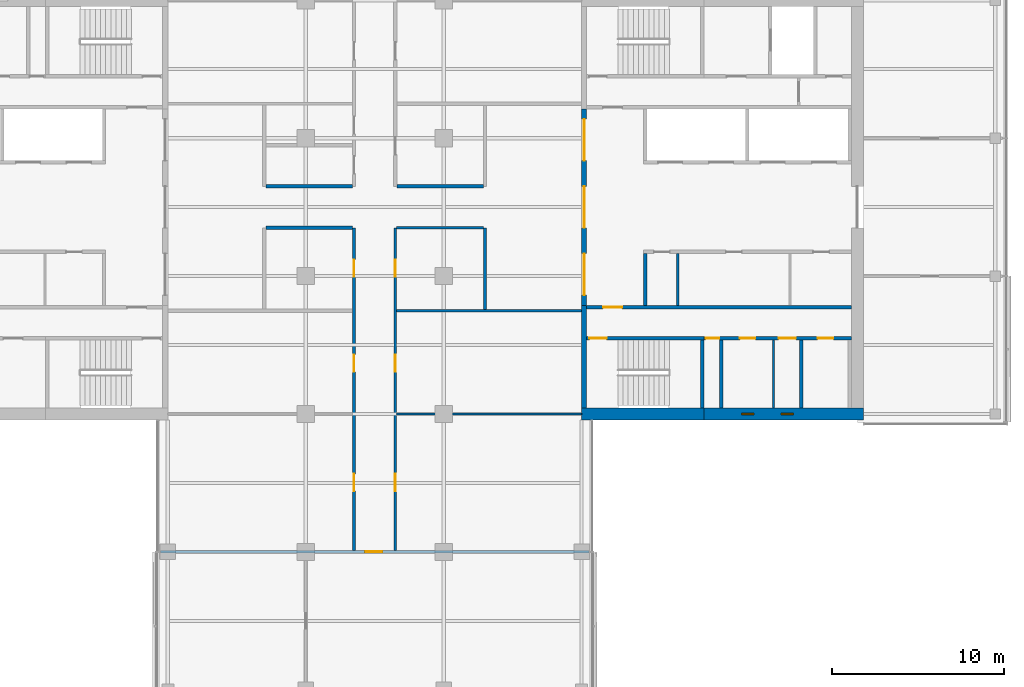
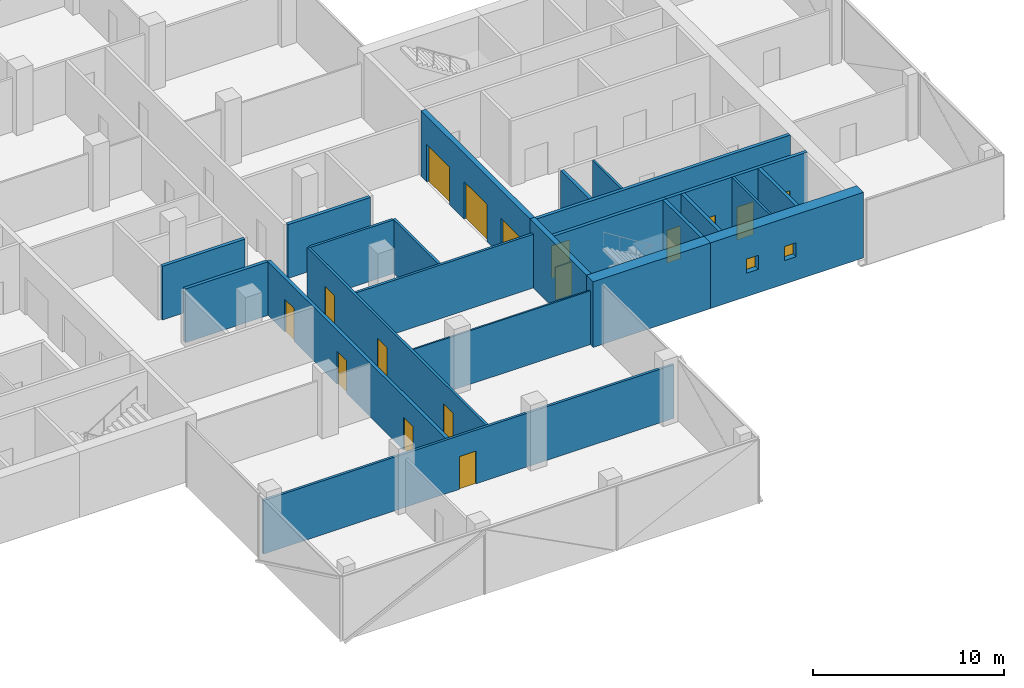
# One storey, part 14 of 22: 23 walls, 16 doors, 2 windows, 18 openings.
"""IFC4 building model written with IfcOpenShell, lengths in metres."""

from ifc_helpers import new_model, si_unit, direction, frame, frame_2d, origin, place, context, subcontext, project, spatial, rectangle, extrude, material, layer, layer_set, constituent, constituent_set, type_object, element, fill, save


model = new_model("IFC4")

# Units and contexts
model_context = context("Model", 3, precision=1e-05, world=origin(), true_north=direction((0.0, 1.0)))
body_context = subcontext(model_context, "Body", "Model", "MODEL_VIEW")
ifc_project = project(units=[si_unit("LENGTHUNIT", "METRE"), si_unit("AREAUNIT", "SQUARE_METRE"), si_unit("VOLUMEUNIT", "CUBIC_METRE"), si_unit("PLANEANGLEUNIT", "RADIAN"), si_unit("MASSUNIT", "GRAM", prefix="KILO")], contexts=[model_context])

# Site, building, storey
site_placement = place(None, origin())
site = spatial("IfcSite", under=ifc_project, at=site_placement, CompositionType="ELEMENT")
building_placement = place(site_placement, origin())
building = spatial("IfcBuilding", under=site, at=building_placement, Name="Crosswind Convention Tower", CompositionType="ELEMENT")
storey_placement = place(building_placement, frame((0.0, 0.0, 133.699951171875)))
storey = spatial("IfcBuildingStorey", under=building, at=storey_placement, Name="L27", CompositionType="ELEMENT", Elevation=133.699951171875)

# Wall
ifc_material_1 = material(Name="Concrete blockwork", Category="masonry")
ifc_layer_1 = layer(ifc_material_1, 0.199951171875)
ifc_layer_set_1 = layer_set([ifc_layer_1], Name="Blockwork partition wall 200")
wall_type_1 = type_object("IfcWallType", Name="Blockwork partition wall 200", PredefinedType="PARTITIONING", material=ifc_layer_set_1)
wall_1_placement = place(storey_placement, frame((145.10009765625, 88.35009765625, 0.0), z_axis=(0.0, 0.0, 1.0), x_axis=(0.0, 1.0, 0.0)))
element("IfcWall", 1, at=wall_1_placement, inside=storey, type_object=wall_type_1, Name="Wall MRSE E L27", PredefinedType="PARTITIONING", context=body_context, shape_type="SweptSolid", body=[
    extrude(rectangle(XDim=3.949951171875, YDim=0.199951171875, at=frame_2d((1.97509765625, 0.0))), origin(), (0.0, 0.0, 1.0), 4.199951171875),
])

# Wall, openings, doors
ifc_layer_2 = layer(ifc_material_1, 0.199951171875)
ifc_layer_set_2 = layer_set([ifc_layer_2], Name="COMPARTMENT WALL 200 BLOCKWORK")
wall_type_2 = type_object("IfcWallType", Name="COMPARTMENT WALL 200 BLOCKWORK", PredefinedType="SOLIDWALL", material=ifc_layer_set_2)
wall_2_placement = place(storey_placement, frame((123.800048828125, 80.074951171875, 0.0), z_axis=(0.0, 0.0, 1.0), x_axis=(0.0, 1.0, 0.0)))
wall_2 = element("IfcWall", 2, at=wall_2_placement, inside=storey, type_object=wall_type_2, Name="Compartment wall WT42", PredefinedType="SOLIDWALL", context=body_context, shape_type="SweptSolid", body=[
    extrude(rectangle(XDim=18.72509765625, YDim=0.199951171875, at=frame_2d((9.362548828125, 0.0))), origin(), (0.0, 0.0, 1.0), 3.4365234375),
])
opening_1_placement = place(wall_2_placement, frame((15.875, 0.0, 0.0)))
opening_1 = element("IfcOpeningElement", 3, at=opening_1_placement, cuts=wall_2, Name="Opening L27-60", PredefinedType="OPENING", context=body_context, shape_type="SweptSolid", body=[
    extrude(rectangle(XDim=1.0, YDim=2.10009765625, at=frame_2d((0.5, 1.050048828125))), frame((0.0, 0.10986328125, 0.0), z_axis=(0.0, -1.0, 0.0), x_axis=(1.0, 0.0, 0.0)), (0.0, 0.0, 1.0), 0.219970703125),
])
opening_2_placement = place(wall_2_placement, frame((10.375, 0.0, 0.0)))
opening_2 = element("IfcOpeningElement", 4, at=opening_2_placement, cuts=wall_2, Name="Opening L27-61", PredefinedType="OPENING", context=body_context, shape_type="SweptSolid", body=[
    extrude(rectangle(XDim=1.0, YDim=2.10009765625, at=frame_2d((0.5, 1.050048828125))), frame((0.0, 0.10986328125, 0.0), z_axis=(0.0, -1.0, 0.0), x_axis=(1.0, 0.0, 0.0)), (0.0, 0.0, 1.0), 0.219970703125),
])
opening_3_placement = place(wall_2_placement, frame((3.449951171875, 0.0, 0.0)))
opening_3 = element("IfcOpeningElement", 5, at=opening_3_placement, cuts=wall_2, Name="Opening L27-62", PredefinedType="OPENING", context=body_context, shape_type="SweptSolid", body=[
    extrude(rectangle(XDim=1.0, YDim=2.10009765625, at=frame_2d((0.5, 1.050048828125))), frame((0.0, 0.10986328125, 0.0), z_axis=(0.0, -1.0, 0.0), x_axis=(1.0, 0.0, 0.0)), (0.0, 0.0, 1.0), 0.219970703125),
])
ifc_material_2 = material(Name="Steel fire door", Category="steel")
door_type_1 = type_object("IfcDoorType", Name="PLANT ROOM DOOR 1000X2100 FD60", OperationType="NOTDEFINED", PredefinedType="DOOR", material=ifc_material_2)
door_1_placement = place(opening_1_placement, origin())
door_1 = element("IfcDoor", 6, at=door_1_placement, inside=storey, type_object=door_type_1, Name="Door L27-60", ObjectType="D43", OperationType="SINGLE_SWING_RIGHT", OverallHeight=2.10009765625, OverallWidth=1.0, PredefinedType="DOOR", context=body_context, shape_type="SweptSolid", body=[
    extrude(rectangle(XDim=1.0, YDim=2.10009765625, at=frame_2d((0.5, 1.050048828125))), frame((0.0, 0.02490234375, 0.0), z_axis=(0.0, -1.0, 0.0), x_axis=(1.0, 0.0, 0.0)), (0.0, 0.0, 1.0), 0.050048828125),
])
fill(opening_1, door_1)
ifc_material_3 = material(Name="Timber fire door", Category="wood")
door_type_2 = type_object("IfcDoorType", Name="TENANCY ENTRANCE DOOR 1000X2100 FD30S", OperationType="NOTDEFINED", PredefinedType="DOOR", material=ifc_material_3)
door_2_placement = place(opening_2_placement, frame((1.0, 0.0, 0.0), z_axis=(0.0, 0.0, 1.0), x_axis=(-1.0, 0.0, 0.0)))
door_2 = element("IfcDoor", 7, at=door_2_placement, inside=storey, type_object=door_type_2, Name="Door L27-61", ObjectType="D41", OperationType="SINGLE_SWING_LEFT", OverallHeight=2.10009765625, OverallWidth=1.0, PredefinedType="DOOR", context=body_context, shape_type="SweptSolid", body=[
    extrude(rectangle(XDim=1.0, YDim=2.10009765625, at=frame_2d((0.5, 1.050048828125))), frame((0.0, 0.02490234375, 0.0), z_axis=(0.0, -1.0, 0.0), x_axis=(1.0, 0.0, 0.0)), (0.0, 0.0, 1.0), 0.050048828125),
])
fill(opening_2, door_2)
door_3_placement = place(opening_3_placement, origin())
door_3 = element("IfcDoor", 8, at=door_3_placement, inside=storey, type_object=door_type_2, Name="Door L27-62", ObjectType="D41", OperationType="SINGLE_SWING_RIGHT", OverallHeight=2.10009765625, OverallWidth=1.0, PredefinedType="DOOR", context=body_context, shape_type="SweptSolid", body=[
    extrude(rectangle(XDim=1.0, YDim=2.10009765625, at=frame_2d((0.5, 1.050048828125))), frame((0.0, 0.02490234375, 0.0), z_axis=(0.0, -1.0, 0.0), x_axis=(1.0, 0.0, 0.0)), (0.0, 0.0, 1.0), 0.050048828125),
])
fill(opening_3, door_3)

# Walls
for number, where, z_axis, x_axis, name in (
    (9, (118.699951171875, 98.800048828125, 0.0), (0.0, 0.0, 1.0), (1.0, 0.0, 0.0), "Compartment wall WT42"),
    (10, (118.699951171875, 101.199951171875, 0.0), (0.0, 0.0, 1.0), (1.0, 0.0, 0.0), "Compartment wall WT42"),
    (11, (126.300048828125, 101.199951171875, 0.0), (0.0, 0.0, 1.0), (1.0, 0.0, 0.0), "Compartment wall WT42"),
):
    element("IfcWall", number, at=place(storey_placement, frame(where, z_axis=z_axis, x_axis=x_axis)), inside=storey, type_object=wall_type_2, Name=name, PredefinedType="SOLIDWALL", context=body_context, shape_type="SweptSolid", body=[
        extrude(rectangle(XDim=5.0, YDim=0.199951171875, at=frame_2d((2.5, 0.0))), origin(), (0.0, 0.0, 1.0), 3.4365234375),
    ])

# Wall, openings, doors
ifc_material_4 = material(Name="Concrete C50/60", Category="concrete")
ifc_layer_3 = layer(ifc_material_4, 0.300048828125)
ifc_layer_set_3 = layer_set([ifc_layer_3], Name="Concrete C50/60")
wall_type_3 = type_object("IfcWallType", Name="Concrete inner core wall 300", PredefinedType="SHEAR", material=ifc_layer_set_3)
wall_3_placement = place(storey_placement, frame((137.14990234375, 94.300048828125, 0.0), z_axis=(0.0, 0.0, 1.0), x_axis=(0.0, 1.0, 0.0)))
wall_3 = element("IfcWall", 12, at=wall_3_placement, inside=storey, type_object=wall_type_3, Name="Wall SCR E L27", PredefinedType="SHEAR", context=body_context, shape_type="SweptSolid", body=[
    extrude(rectangle(XDim=11.39990234375, YDim=0.300048828125, at=frame_2d((5.699951171875, 0.0))), origin(), (0.0, 0.0, 1.0), 4.199951171875),
])
opening_4_placement = place(wall_3_placement, frame((0.60009765625, 0.0, 0.0)))
opening_4 = element("IfcOpeningElement", 13, at=opening_4_placement, cuts=wall_3, Name="Opening D100", PredefinedType="OPENING", context=body_context, shape_type="SweptSolid", body=[
    extrude(rectangle(XDim=2.39990234375, YDim=2.39990234375, at=frame_2d((1.199951171875, 1.199951171875))), frame((0.0, 0.159912109375, 0.0), z_axis=(0.0, -1.0, 0.0), x_axis=(1.0, 0.0, 0.0)), (0.0, 0.0, 1.0), 0.320068359375),
])
opening_5_placement = place(wall_3_placement, frame((4.5, 0.0, 0.0)))
opening_5 = element("IfcOpeningElement", 14, at=opening_5_placement, cuts=wall_3, Name="Opening D100", PredefinedType="OPENING", context=body_context, shape_type="SweptSolid", body=[
    extrude(rectangle(XDim=2.39990234375, YDim=2.39990234375, at=frame_2d((1.199951171875, 1.199951171875))), frame((0.0, 0.159912109375, 0.0), z_axis=(0.0, -1.0, 0.0), x_axis=(1.0, 0.0, 0.0)), (0.0, 0.0, 1.0), 0.320068359375),
])
opening_6_placement = place(wall_3_placement, frame((8.39990234375, 0.0, 0.0)))
opening_6 = element("IfcOpeningElement", 15, at=opening_6_placement, cuts=wall_3, Name="Opening D100", PredefinedType="OPENING", context=body_context, shape_type="SweptSolid", body=[
    extrude(rectangle(XDim=2.39990234375, YDim=2.39990234375, at=frame_2d((1.199951171875, 1.199951171875))), frame((0.0, 0.159912109375, 0.0), z_axis=(0.0, -1.0, 0.0), x_axis=(1.0, 0.0, 0.0)), (0.0, 0.0, 1.0), 0.320068359375),
])
ifc_material_5 = material(Name="Steel fire door with glazed vision panels", Category="steel")
door_type_3 = type_object("IfcDoorType", Name="Fire-rated double door 2400x2400", OperationType="DOUBLE_DOOR_SINGLE_SWING", PredefinedType="DOOR", material=ifc_material_5)
door_4_placement = place(opening_4_placement, origin())
door_4 = element("IfcDoor", 16, at=door_4_placement, inside=storey, type_object=door_type_3, Name="Lobby door 1 L27", ObjectType="D100", OperationType="DOUBLE_DOOR_SINGLE_SWING", OverallHeight=2.39990234375, OverallWidth=2.39990234375, PredefinedType="DOOR", context=body_context, shape_type="SweptSolid", body=[
    extrude(rectangle(XDim=2.39990234375, YDim=2.39990234375, at=frame_2d((1.199951171875, 1.199951171875))), frame((0.0, 0.02490234375, 0.0), z_axis=(0.0, -1.0, 0.0), x_axis=(1.0, 0.0, 0.0)), (0.0, 0.0, 1.0), 0.050048828125),
])
fill(opening_4, door_4)
door_5_placement = place(opening_5_placement, origin())
door_5 = element("IfcDoor", 17, at=door_5_placement, inside=storey, type_object=door_type_3, Name="Lobby door 2 L27", ObjectType="D100", OperationType="DOUBLE_DOOR_SINGLE_SWING", OverallHeight=2.39990234375, OverallWidth=2.39990234375, PredefinedType="DOOR", context=body_context, shape_type="SweptSolid", body=[
    extrude(rectangle(XDim=2.39990234375, YDim=2.39990234375, at=frame_2d((1.199951171875, 1.199951171875))), frame((0.0, 0.02490234375, 0.0), z_axis=(0.0, -1.0, 0.0), x_axis=(1.0, 0.0, 0.0)), (0.0, 0.0, 1.0), 0.050048828125),
])
fill(opening_5, door_5)
door_6_placement = place(opening_6_placement, origin())
door_6 = element("IfcDoor", 18, at=door_6_placement, inside=storey, type_object=door_type_3, Name="Lobby door 3 L27", ObjectType="D100", OperationType="DOUBLE_DOOR_SINGLE_SWING", OverallHeight=2.39990234375, OverallWidth=2.39990234375, PredefinedType="DOOR", context=body_context, shape_type="SweptSolid", body=[
    extrude(rectangle(XDim=2.39990234375, YDim=2.39990234375, at=frame_2d((1.199951171875, 1.199951171875))), frame((0.0, 0.02490234375, 0.0), z_axis=(0.0, -1.0, 0.0), x_axis=(1.0, 0.0, 0.0)), (0.0, 0.0, 1.0), 0.050048828125),
])
fill(opening_6, door_6)

# Walls
wall_4_placement = place(storey_placement, frame((137.14990234375, 88.35009765625, 0.0), z_axis=(0.0, 0.0, 1.0), x_axis=(0.0, 1.0, 0.0)))
element("IfcWall", 19, at=wall_4_placement, inside=storey, type_object=wall_type_3, Name="Wall EM E L27", PredefinedType="SHEAR", context=body_context, shape_type="SweptSolid", body=[
    extrude(rectangle(XDim=5.949951171875, YDim=0.300048828125, at=frame_2d((2.97509765625, 0.0))), origin(), (0.0, 0.0, 1.0), 4.199951171875),
])
ifc_layer_4 = layer(ifc_material_4, 0.199951171875)
ifc_layer_set_4 = layer_set([ifc_layer_4], Name="Concrete C50/60")
wall_type_4 = type_object("IfcWallType", Name="Concrete shaft and stair wall 200", PredefinedType="SHEAR", material=ifc_layer_set_4)
wall_5_placement = place(storey_placement, frame((140.699951171875, 94.300048828125, 0.0), z_axis=(0.0, 0.0, 1.0), x_axis=(0.0, 1.0, 0.0)))
element("IfcWall", 20, at=wall_5_placement, inside=storey, type_object=wall_type_4, Name="Wall RMEND E L27", PredefinedType="SHEAR", context=body_context, shape_type="SweptSolid", body=[
    extrude(rectangle(XDim=3.0, YDim=0.199951171875, at=frame_2d((1.5, 0.0))), origin(), (0.0, 0.0, 1.0), 4.199951171875),
])

# Wall, opening, door
wall_6_placement = place(storey_placement, frame((137.300048828125, 94.199951171875, 0.0), z_axis=(0.0, 0.0, 1.0), x_axis=(1.0, 0.0, 0.0)))
wall_6 = element("IfcWall", 21, at=wall_6_placement, inside=storey, type_object=wall_type_4, Name="Wall HM E L27", PredefinedType="SHEAR", context=body_context, shape_type="SweptSolid", body=[
    extrude(rectangle(XDim=15.349853515625, YDim=0.199951171875, at=frame_2d((7.6748046875, 0.0))), origin(), (0.0, 0.0, 1.0), 4.199951171875),
])
opening_7_placement = place(wall_6_placement, frame((0.949951171875, 0.0, 0.0)))
opening_7 = element("IfcOpeningElement", 22, at=opening_7_placement, cuts=wall_6, Name="Opening D104", PredefinedType="OPENING", context=body_context, shape_type="SweptSolid", body=[
    extrude(rectangle(XDim=1.10009765625, YDim=2.10009765625, at=frame_2d((0.550048828125, 1.050048828125))), frame((0.0, 0.10986328125, 0.0), z_axis=(0.0, -1.0, 0.0), x_axis=(1.0, 0.0, 0.0)), (0.0, 0.0, 1.0), 0.219970703125),
])
door_type_4 = type_object("IfcDoorType", Name="Fire-rated single door 1100x2100", OperationType="NOTDEFINED", PredefinedType="DOOR", material=ifc_material_2)
door_7_placement = place(opening_7_placement, origin())
door_7 = element("IfcDoor", 23, at=door_7_placement, inside=storey, type_object=door_type_4, Name="Corridor door L27", ObjectType="D104", OperationType="SINGLE_SWING_LEFT", OverallHeight=2.10009765625, OverallWidth=1.10009765625, PredefinedType="DOOR", context=body_context, shape_type="SweptSolid", body=[
    extrude(rectangle(XDim=1.10009765625, YDim=2.10009765625, at=frame_2d((0.550048828125, 1.050048828125))), frame((0.0, 0.02490234375, 0.0), z_axis=(0.0, -1.0, 0.0), x_axis=(1.0, 0.0, 0.0)), (0.0, 0.0, 1.0), 0.050048828125),
])
fill(opening_7, door_7)

# Walls
for number, where, z_axis, x_axis, name in (
    (24, (144.0, 88.35009765625, 0.0), (0.0, 0.0, 1.0), (0.0, 1.0, 0.0), "Wall MSE E L27"),
    (25, (149.75, 88.35009765625, 0.0), (0.0, 0.0, 1.0), (0.0, 1.0, 0.0), "Wall MFSW E L27"),
):
    element("IfcWall", number, at=place(storey_placement, frame(where, z_axis=z_axis, x_axis=x_axis)), inside=storey, type_object=wall_type_4, Name=name, PredefinedType="SHEAR", context=body_context, shape_type="SweptSolid", body=[
        extrude(rectangle(XDim=3.949951171875, YDim=0.199951171875, at=frame_2d((1.97509765625, 0.0))), origin(), (0.0, 0.0, 1.0), 4.199951171875),
    ])

# Wall, opening, door
wall_7_placement = place(storey_placement, frame((137.300048828125, 92.39990234375, 0.0), z_axis=(0.0, 0.0, 1.0), x_axis=(1.0, 0.0, 0.0)))
wall_7 = element("IfcWall", 26, at=wall_7_placement, inside=storey, type_object=wall_type_4, Name="Wall MCW E L27", PredefinedType="SHEAR", context=body_context, shape_type="SweptSolid", body=[
    extrude(rectangle(XDim=6.800048828125, YDim=0.199951171875, at=frame_2d((3.39990234375, 0.0))), origin(), (0.0, 0.0, 1.0), 4.199951171875),
])
opening_8_placement = place(wall_7_placement, frame((0.14990234375, 0.0, 0.0)))
opening_8 = element("IfcOpeningElement", 27, at=opening_8_placement, cuts=wall_7, Name="Opening D103", PredefinedType="OPENING", context=body_context, shape_type="SweptSolid", body=[
    extrude(rectangle(XDim=1.0, YDim=2.10009765625, at=frame_2d((0.5, 1.050048828125))), frame((0.0, 0.10986328125, 0.0), z_axis=(0.0, -1.0, 0.0), x_axis=(1.0, 0.0, 0.0)), (0.0, 0.0, 1.0), 0.219970703125),
])
door_type_5 = type_object("IfcDoorType", Name="Fire-rated single door 1000x2100", OperationType="NOTDEFINED", PredefinedType="DOOR", material=ifc_material_2)
door_8_placement = place(opening_8_placement, frame((1.0, 0.0, 0.0), z_axis=(0.0, 0.0, 1.0), x_axis=(-1.0, 0.0, 0.0)))
door_8 = element("IfcDoor", 28, at=door_8_placement, inside=storey, type_object=door_type_5, Name="Stair ST2 door L27", ObjectType="D103", OperationType="SINGLE_SWING_RIGHT", OverallHeight=2.10009765625, OverallWidth=1.0, PredefinedType="DOOR", context=body_context, shape_type="SweptSolid", body=[
    extrude(rectangle(XDim=1.0, YDim=2.10009765625, at=frame_2d((0.5, 1.050048828125))), frame((0.0, 0.02490234375, 0.0), z_axis=(0.0, -1.0, 0.0), x_axis=(1.0, 0.0, 0.0)), (0.0, 0.0, 1.0), 0.050048828125),
])
fill(opening_8, door_8)

# Wall, openings, doors
wall_8_placement = place(storey_placement, frame((144.10009765625, 92.39990234375, 0.0), z_axis=(0.0, 0.0, 1.0), x_axis=(1.0, 0.0, 0.0)))
wall_8 = element("IfcWall", 29, at=wall_8_placement, inside=storey, type_object=wall_type_4, Name="Wall MCX E L27", PredefinedType="SHEAR", context=body_context, shape_type="SweptSolid", body=[
    extrude(rectangle(XDim=8.5498046875, YDim=0.199951171875, at=frame_2d((4.27490234375, 0.0))), origin(), (0.0, 0.0, 1.0), 4.199951171875),
])
opening_9_placement = place(wall_8_placement, frame((0.10009765625, 0.0, 0.0)))
opening_9 = element("IfcOpeningElement", 30, at=opening_9_placement, cuts=wall_8, Name="Opening D105", PredefinedType="OPENING", context=body_context, shape_type="SweptSolid", body=[
    extrude(rectangle(XDim=0.800048828125, YDim=2.10009765625, at=frame_2d((0.39990234375, 1.050048828125))), frame((0.0, 0.10986328125, 0.0), z_axis=(0.0, -1.0, 0.0), x_axis=(1.0, 0.0, 0.0)), (0.0, 0.0, 1.0), 0.219970703125),
])
opening_10_placement = place(wall_8_placement, frame((2.087158203125, 0.0, 0.0)))
opening_10 = element("IfcOpeningElement", 31, at=opening_10_placement, cuts=wall_8, Name="Opening D106", PredefinedType="OPENING", context=body_context, shape_type="SweptSolid", body=[
    extrude(rectangle(XDim=0.89990234375, YDim=2.10009765625, at=frame_2d((0.449951171875, 1.050048828125))), frame((0.0, 0.10986328125, 0.0), z_axis=(0.0, -1.0, 0.0), x_axis=(1.0, 0.0, 0.0)), (0.0, 0.0, 1.0), 0.219970703125),
])
opening_11_placement = place(wall_8_placement, frame((4.32470703125, 0.0, 0.0)))
opening_11 = element("IfcOpeningElement", 32, at=opening_11_placement, cuts=wall_8, Name="Opening D103", PredefinedType="OPENING", context=body_context, shape_type="SweptSolid", body=[
    extrude(rectangle(XDim=1.0, YDim=2.10009765625, at=frame_2d((0.5, 1.050048828125))), frame((0.0, 0.10986328125, 0.0), z_axis=(0.0, -1.0, 0.0), x_axis=(1.0, 0.0, 0.0)), (0.0, 0.0, 1.0), 0.219970703125),
])
opening_12_placement = place(wall_8_placement, frame((6.60009765625, 0.0, 0.0)))
opening_12 = element("IfcOpeningElement", 33, at=opening_12_placement, cuts=wall_8, Name="Opening D106", PredefinedType="OPENING", context=body_context, shape_type="SweptSolid", body=[
    extrude(rectangle(XDim=0.89990234375, YDim=2.10009765625, at=frame_2d((0.449951171875, 1.050048828125))), frame((0.0, 0.10986328125, 0.0), z_axis=(0.0, -1.0, 0.0), x_axis=(1.0, 0.0, 0.0)), (0.0, 0.0, 1.0), 0.219970703125),
])
door_9_placement = place(opening_11_placement, frame((1.0, 0.0, 0.0), z_axis=(0.0, 0.0, 1.0), x_axis=(-1.0, 0.0, 0.0)))
door_9 = element("IfcDoor", 34, at=door_9_placement, inside=storey, type_object=door_type_5, Name="Door to accessible wc L27", ObjectType="D103", OperationType="SINGLE_SWING_LEFT", OverallHeight=2.10009765625, OverallWidth=1.0, PredefinedType="DOOR", context=body_context, shape_type="SweptSolid", body=[
    extrude(rectangle(XDim=1.0, YDim=2.10009765625, at=frame_2d((0.5, 1.050048828125))), frame((0.0, 0.02490234375, 0.0), z_axis=(0.0, -1.0, 0.0), x_axis=(1.0, 0.0, 0.0)), (0.0, 0.0, 1.0), 0.050048828125),
])
fill(opening_11, door_9)
door_type_6 = type_object("IfcDoorType", Name="Riser access door 800x2100", OperationType="NOTDEFINED", PredefinedType="DOOR", material=ifc_material_2)
door_10_placement = place(opening_9_placement, frame((0.800048828125, 0.0, 0.0), z_axis=(0.0, 0.0, 1.0), x_axis=(-1.0, 0.0, 0.0)))
door_10 = element("IfcDoor", 35, at=door_10_placement, inside=storey, type_object=door_type_6, Name="Riser door L27", ObjectType="D105", OperationType="SINGLE_SWING_LEFT", OverallHeight=2.10009765625, OverallWidth=0.800048828125, PredefinedType="DOOR", context=body_context, shape_type="SweptSolid", body=[
    extrude(rectangle(XDim=0.800048828125, YDim=2.10009765625, at=frame_2d((0.39990234375, 1.050048828125))), frame((0.0, 0.02490234375, 0.0), z_axis=(0.0, -1.0, 0.0), x_axis=(1.0, 0.0, 0.0)), (0.0, 0.0, 1.0), 0.050048828125),
])
fill(opening_9, door_10)
ifc_material_6 = material(Name="Timber door", Category="wood")
door_type_7 = type_object("IfcDoorType", Name="Single leaf door 900x2100", OperationType="NOTDEFINED", PredefinedType="DOOR", material=ifc_material_6)
door_11_placement = place(opening_10_placement, frame((0.89990234375, 0.0, 0.0), z_axis=(0.0, 0.0, 1.0), x_axis=(-1.0, 0.0, 0.0)))
door_11 = element("IfcDoor", 36, at=door_11_placement, inside=storey, type_object=door_type_7, Name="Door to wc L27", ObjectType="D106", OperationType="SINGLE_SWING_LEFT", OverallHeight=2.10009765625, OverallWidth=0.89990234375, PredefinedType="DOOR", context=body_context, shape_type="SweptSolid", body=[
    extrude(rectangle(XDim=0.89990234375, YDim=2.10009765625, at=frame_2d((0.449951171875, 1.050048828125))), frame((0.0, 0.02490234375, 0.0), z_axis=(0.0, -1.0, 0.0), x_axis=(1.0, 0.0, 0.0)), (0.0, 0.0, 1.0), 0.050048828125),
])
fill(opening_10, door_11)
door_12_placement = place(opening_12_placement, frame((0.89990234375, 0.0, 0.0), z_axis=(0.0, 0.0, 1.0), x_axis=(-1.0, 0.0, 0.0)))
door_12 = element("IfcDoor", 37, at=door_12_placement, inside=storey, type_object=door_type_7, Name="Door to accessible wc L27", ObjectType="D106", OperationType="SINGLE_SWING_LEFT", OverallHeight=2.10009765625, OverallWidth=0.89990234375, PredefinedType="DOOR", context=body_context, shape_type="SweptSolid", body=[
    extrude(rectangle(XDim=0.89990234375, YDim=2.10009765625, at=frame_2d((0.449951171875, 1.050048828125))), frame((0.0, 0.02490234375, 0.0), z_axis=(0.0, -1.0, 0.0), x_axis=(1.0, 0.0, 0.0)), (0.0, 0.0, 1.0), 0.050048828125),
])
fill(opening_12, door_12)

# Walls
ifc_material_7 = material(Name="Gypsum plasterboard partition", Category="gypsum")
ifc_layer_5 = layer(ifc_material_7, 0.125)
ifc_layer_set_5 = layer_set([ifc_layer_5], Name="Drywall partition wall 125")
wall_type_5 = type_object("IfcWallType", Name="Drywall partition wall 125", PredefinedType="PARTITIONING", material=ifc_layer_set_5)
wall_9_placement = place(storey_placement, frame((142.577392578125, 94.300048828125, 0.0), z_axis=(0.0, 0.0, 1.0), x_axis=(0.0, 1.0, 0.0)))
element("IfcWall", 38, at=wall_9_placement, inside=storey, type_object=wall_type_5, Name="Wall RMP1 E L27", PredefinedType="PARTITIONING", context=body_context, shape_type="SweptSolid", body=[
    extrude(rectangle(XDim=3.0, YDim=0.125, at=frame_2d((1.5, 0.0))), origin(), (0.0, 0.0, 1.0), 4.199951171875),
])
wall_10_placement = place(storey_placement, frame((148.136962890625, 88.35009765625, 0.0), z_axis=(0.0, 0.0, 1.0), x_axis=(0.0, 1.0, 0.0)))
element("IfcWall", 39, at=wall_10_placement, inside=storey, type_object=wall_type_5, Name="Wall MWP1 E L27", PredefinedType="PARTITIONING", context=body_context, shape_type="SweptSolid", body=[
    extrude(rectangle(XDim=3.949951171875, YDim=0.125, at=frame_2d((1.97509765625, 0.0))), origin(), (0.0, 0.0, 1.0), 4.199951171875),
])
ifc_material_8 = material(Name="Plasterboard partition", Category="gypsum")
ifc_layer_6 = layer(ifc_material_8, 0.10009765625)
ifc_layer_set_6 = layer_set([ifc_layer_6], Name="PARTITION 100 METAL STUD")
wall_type_6 = type_object("IfcWallType", Name="PARTITION 100 METAL STUD", PredefinedType="PARTITIONING", material=ifc_layer_set_6)
wall_11_placement = place(storey_placement, frame((126.27490234375, 88.0, 0.0), z_axis=(0.0, 0.0, 1.0), x_axis=(1.0, 0.0, 0.0)))
element("IfcWall", 40, at=wall_11_placement, inside=storey, type_object=wall_type_6, Name="Partition wall WT40", PredefinedType="PARTITIONING", context=body_context, shape_type="SweptSolid", body=[
    extrude(rectangle(XDim=10.72509765625, YDim=0.10009765625, at=frame_2d((5.362548828125, 0.0))), origin(), (0.0, 0.0, 1.0), 3.4365234375),
])

# Wall, openings, doors
ifc_material_9 = material(Name="Fire-board partition with mineral wool", Category="gypsum")
ifc_layer_7 = layer(ifc_material_9, 0.14990234375)
ifc_layer_set_7 = layer_set([ifc_layer_7], Name="TENANCY WALL 150 TWO-HOUR BOARD")
wall_type_7 = type_object("IfcWallType", Name="TENANCY WALL 150 TWO-HOUR BOARD", PredefinedType="PARTITIONING", material=ifc_layer_set_7)
wall_12_placement = place(storey_placement, frame((126.199951171875, 80.074951171875, 0.0), z_axis=(0.0, 0.0, 1.0), x_axis=(0.0, 1.0, 0.0)))
wall_12 = element("IfcWall", 41, at=wall_12_placement, inside=storey, type_object=wall_type_7, Name="Tenancy wall WT41", PredefinedType="PARTITIONING", context=body_context, shape_type="SweptSolid", body=[
    extrude(rectangle(XDim=18.72509765625, YDim=0.14990234375, at=frame_2d((9.362548828125, 0.0))), origin(), (0.0, 0.0, 1.0), 3.4365234375),
])
opening_13_placement = place(wall_12_placement, frame((15.875, 0.0, 0.0)))
opening_13 = element("IfcOpeningElement", 42, at=opening_13_placement, cuts=wall_12, Name="Opening L27-53", PredefinedType="OPENING", context=body_context, shape_type="SweptSolid", body=[
    extrude(rectangle(XDim=1.0, YDim=2.10009765625, at=frame_2d((0.5, 1.050048828125))), frame((0.0, 0.0849609375, 0.0), z_axis=(0.0, -1.0, 0.0), x_axis=(1.0, 0.0, 0.0)), (0.0, 0.0, 1.0), 0.169921875),
])
opening_14_placement = place(wall_12_placement, frame((10.375, 0.0, 0.0)))
opening_14 = element("IfcOpeningElement", 43, at=opening_14_placement, cuts=wall_12, Name="Opening L27-54", PredefinedType="OPENING", context=body_context, shape_type="SweptSolid", body=[
    extrude(rectangle(XDim=1.0, YDim=2.10009765625, at=frame_2d((0.5, 1.050048828125))), frame((0.0, 0.0849609375, 0.0), z_axis=(0.0, -1.0, 0.0), x_axis=(1.0, 0.0, 0.0)), (0.0, 0.0, 1.0), 0.169921875),
])
opening_15_placement = place(wall_12_placement, frame((3.449951171875, 0.0, 0.0)))
opening_15 = element("IfcOpeningElement", 44, at=opening_15_placement, cuts=wall_12, Name="Opening L27-55", PredefinedType="OPENING", context=body_context, shape_type="SweptSolid", body=[
    extrude(rectangle(XDim=1.0, YDim=2.10009765625, at=frame_2d((0.5, 1.050048828125))), frame((0.0, 0.0849609375, 0.0), z_axis=(0.0, -1.0, 0.0), x_axis=(1.0, 0.0, 0.0)), (0.0, 0.0, 1.0), 0.169921875),
])
door_13_placement = place(opening_13_placement, frame((1.0, 0.0, 0.0), z_axis=(0.0, 0.0, 1.0), x_axis=(-1.0, 0.0, 0.0)))
door_13 = element("IfcDoor", 45, at=door_13_placement, inside=storey, type_object=door_type_2, Name="Door L27-53", ObjectType="D41", OperationType="SINGLE_SWING_LEFT", OverallHeight=2.10009765625, OverallWidth=1.0, PredefinedType="DOOR", context=body_context, shape_type="SweptSolid", body=[
    extrude(rectangle(XDim=1.0, YDim=2.10009765625, at=frame_2d((0.5, 1.050048828125))), frame((0.0, 0.02490234375, 0.0), z_axis=(0.0, -1.0, 0.0), x_axis=(1.0, 0.0, 0.0)), (0.0, 0.0, 1.0), 0.050048828125),
])
fill(opening_13, door_13)
door_14_placement = place(opening_14_placement, frame((1.0, 0.0, 0.0), z_axis=(0.0, 0.0, 1.0), x_axis=(-1.0, 0.0, 0.0)))
door_14 = element("IfcDoor", 46, at=door_14_placement, inside=storey, type_object=door_type_2, Name="Door L27-54", ObjectType="D41", OperationType="SINGLE_SWING_RIGHT", OverallHeight=2.10009765625, OverallWidth=1.0, PredefinedType="DOOR", context=body_context, shape_type="SweptSolid", body=[
    extrude(rectangle(XDim=1.0, YDim=2.10009765625, at=frame_2d((0.5, 1.050048828125))), frame((0.0, 0.02490234375, 0.0), z_axis=(0.0, -1.0, 0.0), x_axis=(1.0, 0.0, 0.0)), (0.0, 0.0, 1.0), 0.050048828125),
])
fill(opening_14, door_14)
door_15_placement = place(opening_15_placement, frame((1.0, 0.0, 0.0), z_axis=(0.0, 0.0, 1.0), x_axis=(-1.0, 0.0, 0.0)))
door_15 = element("IfcDoor", 47, at=door_15_placement, inside=storey, type_object=door_type_2, Name="Door L27-55", ObjectType="D41", OperationType="SINGLE_SWING_LEFT", OverallHeight=2.10009765625, OverallWidth=1.0, PredefinedType="DOOR", context=body_context, shape_type="SweptSolid", body=[
    extrude(rectangle(XDim=1.0, YDim=2.10009765625, at=frame_2d((0.5, 1.050048828125))), frame((0.0, 0.02490234375, 0.0), z_axis=(0.0, -1.0, 0.0), x_axis=(1.0, 0.0, 0.0)), (0.0, 0.0, 1.0), 0.050048828125),
])
fill(opening_15, door_15)

# Wall
wall_13_placement = place(storey_placement, frame((131.39990234375, 94.074951171875, 0.0), z_axis=(0.0, 0.0, 1.0), x_axis=(0.0, 1.0, 0.0)))
element("IfcWall", 48, at=wall_13_placement, inside=storey, type_object=wall_type_7, Name="Tenancy wall WT41", PredefinedType="PARTITIONING", context=body_context, shape_type="SweptSolid", body=[
    extrude(rectangle(XDim=4.72509765625, YDim=0.14990234375, at=frame_2d((2.362548828125, 0.0))), origin(), (0.0, 0.0, 1.0), 3.4365234375),
])

# Wall, opening, door
wall_14_placement = place(storey_placement, frame((112.580078125, 80.0, 0.0), z_axis=(0.0, 0.0, 1.0), x_axis=(1.0, 0.0, 0.0)))
wall_14 = element("IfcWall", 49, at=wall_14_placement, inside=storey, type_object=wall_type_7, Name="Tenancy wall WT41", PredefinedType="PARTITIONING", context=body_context, shape_type="SweptSolid", body=[
    extrude(rectangle(XDim=24.83984375, YDim=0.14990234375, at=frame_2d((12.419921875, 0.0))), origin(), (0.0, 0.0, 1.0), 3.4365234375),
])
opening_16_placement = place(wall_14_placement, frame((11.8701171875, 0.0, 0.0)))
opening_16 = element("IfcOpeningElement", 50, at=opening_16_placement, cuts=wall_14, Name="Opening L27-66", PredefinedType="OPENING", context=body_context, shape_type="SweptSolid", body=[
    extrude(rectangle(XDim=1.0, YDim=2.10009765625, at=frame_2d((0.5, 1.050048828125))), frame((0.0, 0.0849609375, 0.0), z_axis=(0.0, -1.0, 0.0), x_axis=(1.0, 0.0, 0.0)), (0.0, 0.0, 1.0), 0.169921875),
])
door_16_placement = place(opening_16_placement, frame((1.0, 0.0, 0.0), z_axis=(0.0, 0.0, 1.0), x_axis=(-1.0, 0.0, 0.0)))
door_16 = element("IfcDoor", 51, at=door_16_placement, inside=storey, type_object=door_type_2, Name="Door L27-66", ObjectType="D41", OperationType="SINGLE_SWING_RIGHT", OverallHeight=2.10009765625, OverallWidth=1.0, PredefinedType="DOOR", context=body_context, shape_type="SweptSolid", body=[
    extrude(rectangle(XDim=1.0, YDim=2.10009765625, at=frame_2d((0.5, 1.050048828125))), frame((0.0, 0.02490234375, 0.0), z_axis=(0.0, -1.0, 0.0), x_axis=(1.0, 0.0, 0.0)), (0.0, 0.0, 1.0), 0.050048828125),
])
fill(opening_16, door_16)

# Walls
wall_15_placement = place(storey_placement, frame((126.27490234375, 94.0, 0.0), z_axis=(0.0, 0.0, 1.0), x_axis=(1.0, 0.0, 0.0)))
element("IfcWall", 52, at=wall_15_placement, inside=storey, type_object=wall_type_7, Name="Tenancy wall WT41", PredefinedType="PARTITIONING", context=body_context, shape_type="SweptSolid", body=[
    extrude(rectangle(XDim=10.72509765625, YDim=0.14990234375, at=frame_2d((5.362548828125, 0.0))), origin(), (0.0, 0.0, 1.0), 3.4365234375),
])
wall_16_placement = place(storey_placement, frame((126.27490234375, 98.800048828125, 0.0), z_axis=(0.0, 0.0, 1.0), x_axis=(1.0, 0.0, 0.0)))
element("IfcWall", 53, at=wall_16_placement, inside=storey, type_object=wall_type_7, Name="Tenancy wall WT41", PredefinedType="PARTITIONING", context=body_context, shape_type="SweptSolid", body=[
    extrude(rectangle(XDim=5.050048828125, YDim=0.14990234375, at=frame_2d((2.52490234375, 0.0))), origin(), (0.0, 0.0, 1.0), 3.4365234375),
])
ifc_material_10 = material(Name="Concrete C60/75", Category="concrete")
ifc_constituent_1 = constituent(ifc_material_10, Name="Structure")
ifc_material_11 = material(Name="Terracotta rainscreen", Category="ceramic")
ifc_constituent_2 = constituent(ifc_material_11, Name="Facing")
ifc_constituent_set = constituent_set(constituents=[ifc_constituent_1, ifc_constituent_2], Name="Concrete C60/75, Terracotta rainscreen")
wall_type_8 = type_object("IfcWallType", Name="Terracotta rainscreen on concrete core wall 700", PredefinedType="SHEAR", material=ifc_constituent_set)
wall_17_placement = place(storey_placement, frame((137.0, 88.0, 0.0), z_axis=(0.0, 0.0, 1.0), x_axis=(1.0, 0.0, 0.0)))
element("IfcWall", 54, at=wall_17_placement, inside=storey, type_object=wall_type_8, Name="Wall S1 E L27", PredefinedType="SHEAR", context=body_context, shape_type="SweptSolid", body=[
    extrude(rectangle(XDim=7.10009765625, YDim=0.699951171875, at=frame_2d((3.550048828125, 0.0))), origin(), (0.0, 0.0, 1.0), 4.199951171875),
])

# Wall, openings, windows
wall_18_placement = place(storey_placement, frame((144.10009765625, 88.0, 0.0), z_axis=(0.0, 0.0, 1.0), x_axis=(1.0, 0.0, 0.0)))
wall_18 = element("IfcWall", 55, at=wall_18_placement, inside=storey, type_object=wall_type_8, Name="Wall S2 E L27", PredefinedType="SHEAR", context=body_context, shape_type="SweptSolid", body=[
    extrude(rectangle(XDim=9.25, YDim=0.699951171875, at=frame_2d((4.625, 0.0))), origin(), (0.0, 0.0, 1.0), 4.199951171875),
])
opening_17_placement = place(wall_18_placement, frame((2.187255859375, 0.0, 1.5)))
opening_17 = element("IfcOpeningElement", 56, at=opening_17_placement, cuts=wall_18, Name="Opening W2", PredefinedType="OPENING", context=body_context, shape_type="SweptSolid", body=[
    extrude(rectangle(XDim=0.699951171875, YDim=0.89990234375, at=frame_2d((0.35009765625, 0.449951171875))), frame((0.0, 0.35986328125, 0.0), z_axis=(0.0, -1.0, 0.0), x_axis=(1.0, 0.0, 0.0)), (0.0, 0.0, 1.0), 0.719970703125),
])
opening_18_placement = place(wall_18_placement, frame((4.474853515625, 0.0, 1.5)))
opening_18 = element("IfcOpeningElement", 57, at=opening_18_placement, cuts=wall_18, Name="Opening W2", PredefinedType="OPENING", context=body_context, shape_type="SweptSolid", body=[
    extrude(rectangle(XDim=0.699951171875, YDim=0.89990234375, at=frame_2d((0.35009765625, 0.449951171875))), frame((0.0, 0.35986328125, 0.0), z_axis=(0.0, -1.0, 0.0), x_axis=(1.0, 0.0, 0.0)), (0.0, 0.0, 1.0), 0.719970703125),
])
ifc_material_12 = material(Name="Obscure glass in aluminium frame", Category="aluminium")
window_type = type_object("IfcWindowType", Name="WC window 700x900", PartitioningType="SINGLE_PANEL", PredefinedType="WINDOW", material=ifc_material_12)
window_1_placement = place(opening_17_placement, origin())
window_1 = element("IfcWindow", 58, at=window_1_placement, inside=storey, type_object=window_type, Name="WC window L27", ObjectType="W2", OverallHeight=0.89990234375, OverallWidth=0.699951171875, PartitioningType="SINGLE_PANEL", PredefinedType="WINDOW", context=body_context, shape_type="SweptSolid", body=[
    extrude(rectangle(XDim=0.699951171875, YDim=0.89990234375, at=frame_2d((0.35009765625, 0.449951171875))), frame((0.0, 0.030029296875, 0.0), z_axis=(0.0, -1.0, 0.0), x_axis=(1.0, 0.0, 0.0)), (0.0, 0.0, 1.0), 0.06005859375),
])
fill(opening_17, window_1)
window_2_placement = place(opening_18_placement, origin())
window_2 = element("IfcWindow", 59, at=window_2_placement, inside=storey, type_object=window_type, Name="WC window L27", ObjectType="W2", OverallHeight=0.89990234375, OverallWidth=0.699951171875, PartitioningType="SINGLE_PANEL", PredefinedType="WINDOW", context=body_context, shape_type="SweptSolid", body=[
    extrude(rectangle(XDim=0.699951171875, YDim=0.89990234375, at=frame_2d((0.35009765625, 0.449951171875))), frame((0.0, 0.030029296875, 0.0), z_axis=(0.0, -1.0, 0.0), x_axis=(1.0, 0.0, 0.0)), (0.0, 0.0, 1.0), 0.06005859375),
])
fill(opening_18, window_2)

save(model, "model.ifc")
